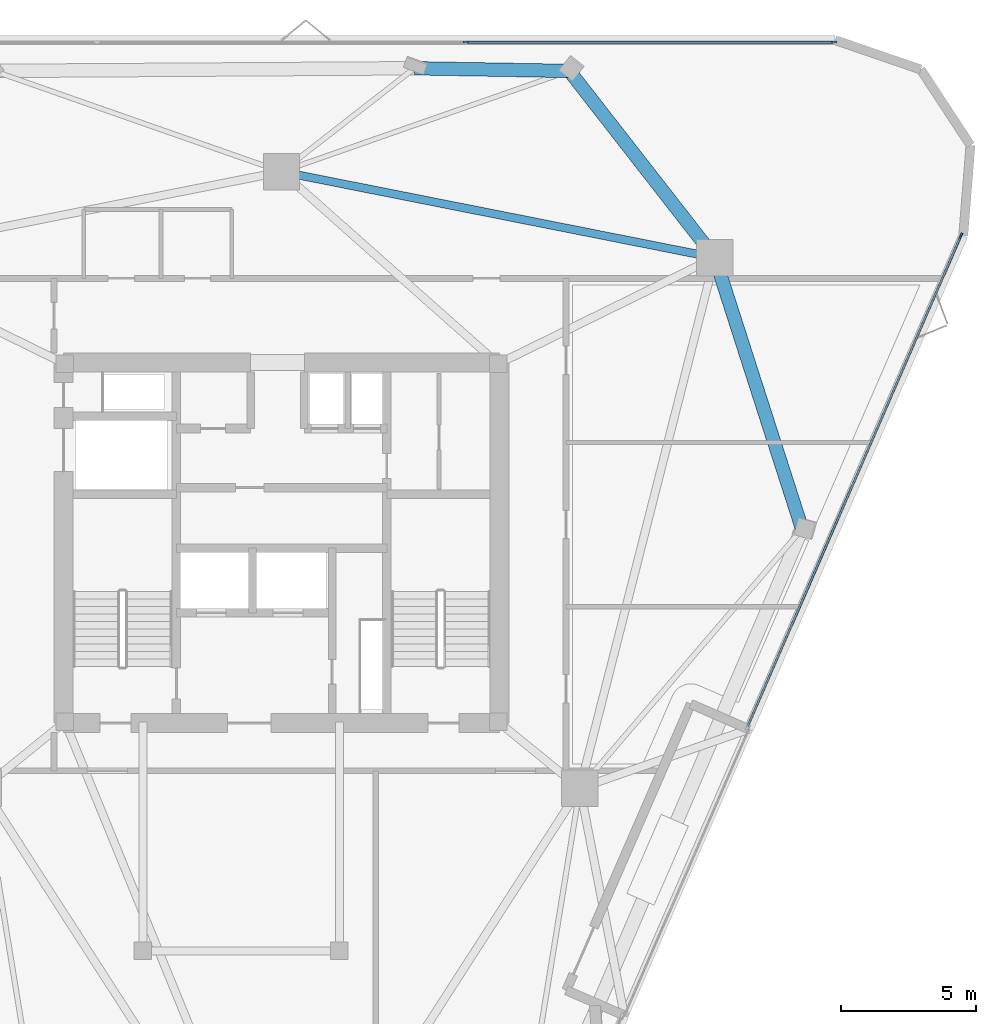
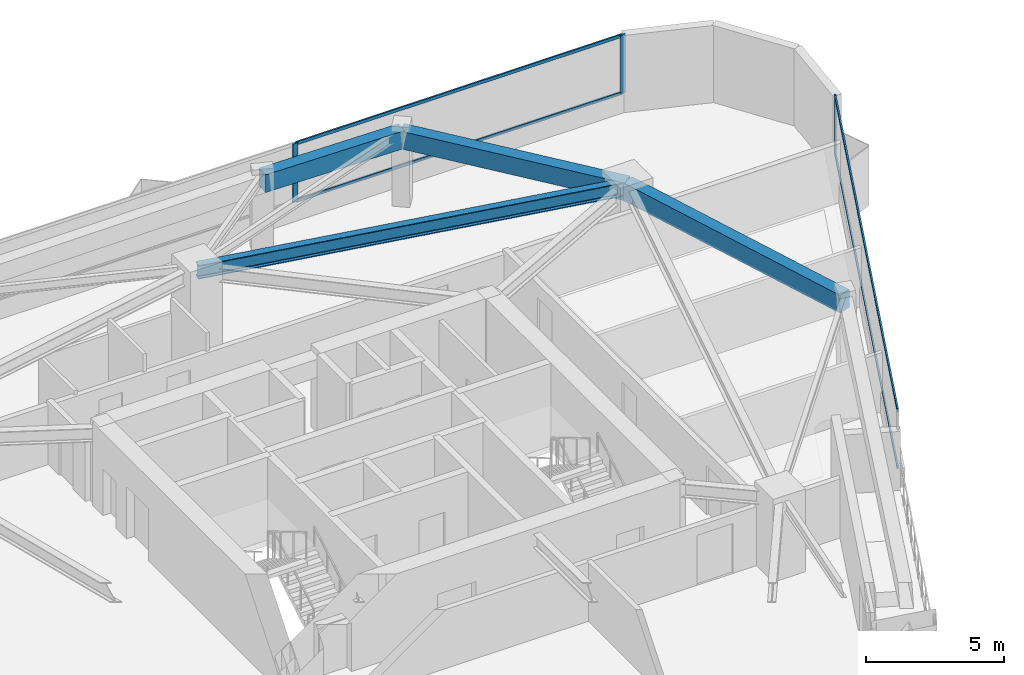
# One storey, part 6 of 11: 7 members, 4 beams, 2 elements without a shape of their own.
"""IFC4 building model written with IfcOpenShell, lengths in metres."""

from ifc_helpers import new_model, si_unit, direction, frame, origin, origin_2d, place, context, subcontext, project, spatial, rectangle, i_section, extrude, material, layer, layer_set, material_profile, profile_set, type_object, element, aggregate, save


model = new_model("IFC4")

# Units and contexts
model_context = context("Model", 3, precision=1e-05, world=origin(), true_north=direction((0.0, 1.0)))
body_context = subcontext(model_context, "Body", "Model", "MODEL_VIEW")
ifc_project = project(units=[si_unit("LENGTHUNIT", "METRE"), si_unit("AREAUNIT", "SQUARE_METRE"), si_unit("VOLUMEUNIT", "CUBIC_METRE"), si_unit("PLANEANGLEUNIT", "RADIAN"), si_unit("MASSUNIT", "GRAM", prefix="KILO")], contexts=[model_context])

# Site, building, storey
site_placement = place(None, origin())
site = spatial("IfcSite", under=ifc_project, at=site_placement, CompositionType="ELEMENT")
building_placement = place(site_placement, origin())
building = spatial("IfcBuilding", under=site, at=building_placement, Name="Talyreon Biosciences Tower", CompositionType="ELEMENT")
storey_placement = place(building_placement, frame((0.0, 0.0, 201.300048828125)))
storey = spatial("IfcBuildingStorey", under=building, at=storey_placement, Name="L53", CompositionType="ELEMENT", Elevation=201.300048828125)

# Curtain wall, members
ifc_material_1 = material(Name="Thermally broken aluminium and low-E glazing", Category="aluminium")
ifc_layer = layer(ifc_material_1, 0.205078125)
ifc_layer_set = layer_set([ifc_layer], Name="Thermally broken aluminium and low-E glazing")
curtain_wall_type = type_object("IfcCurtainWallType", Name="CurtainWall_SkyGardenLoggia", PredefinedType="NOTDEFINED", material=ifc_layer_set)
curtain_wall_1_placement = place(storey_placement, origin())
curtain_wall_1 = element("IfcCurtainWall", 1, at=curtain_wall_1_placement, inside=storey, type_object=curtain_wall_type, Name="L53 Unitised Curtain Wall FCW-L53-03", PredefinedType="NOTDEFINED")
ifc_material_2 = material(Name="Anodised thermally broken aluminium", Category="aluminium")
ifc_material_profile_1 = material_profile(ifc_material_2, rectangle(XDim=0.074951171875, YDim=0.2099609375, at=origin_2d()), Name="ALUM MULLION 75x210")
ifc_profile_set_1 = profile_set([ifc_material_profile_1], Name="Anodised thermally broken aluminium")
member_type_1 = type_object("IfcMemberType", Name="CWMullion_75x210", PredefinedType="MULLION", material=ifc_profile_set_1)
member_1_placement = place(storey_placement, frame((72.855224609375, 86.605224609375, 0.81005859375), z_axis=(0.0, 0.0, 1.0), x_axis=(0.0, 1.0, 0.0)))
member_1 = element("IfcMember", 2, at=member_1_placement, type_object=member_type_1, Name="CW7 mullion 3", PredefinedType="MULLION", context=body_context, shape_type="SweptSolid", body=[
    extrude(rectangle(XDim=0.074951171875, YDim=0.2099609375, at=origin_2d()), origin(), (0.0, 0.0, 1.0), 2.58984375),
])
member_2_placement = place(storey_placement, frame((86.52783203125, 86.605224609375, 0.81005859375), z_axis=(0.0, 0.0, 1.0), x_axis=(0.0, 1.0, 0.0)))
member_2 = element("IfcMember", 3, at=member_2_placement, type_object=member_type_1, Name="CW7 mullion 4", PredefinedType="MULLION", context=body_context, shape_type="SweptSolid", body=[
    extrude(rectangle(XDim=0.074951171875, YDim=0.2099609375, at=origin_2d()), origin(), (0.0, 0.0, 1.0), 2.58984375),
])

# Curtain wall, member
curtain_wall_2_placement = place(storey_placement, origin())
curtain_wall_2 = element("IfcCurtainWall", 4, at=curtain_wall_2_placement, inside=storey, type_object=curtain_wall_type, Name="L53 Unitised Curtain Wall FCW-L53-07", PredefinedType="NOTDEFINED")
member_3_placement = place(storey_placement, frame((91.24609375, 79.409912109375, 0.81005859375), z_axis=(0.0, 0.0, 1.0), x_axis=(0.91711290669, -0.398627540924, 0.0)))
member_3 = element("IfcMember", 5, at=member_3_placement, type_object=member_type_1, Name="CW7 mullion 1", PredefinedType="MULLION", context=body_context, shape_type="SweptSolid", body=[
    extrude(rectangle(XDim=0.074951171875, YDim=0.2099609375, at=origin_2d()), origin(), (0.0, 0.0, 1.0), 2.58984375),
])

# Member
ifc_material_profile_2 = material_profile(ifc_material_2, rectangle(XDim=0.06494140625, YDim=0.139892578125, at=origin_2d()), Name="ALUM TRANSOM 65x140")
ifc_profile_set_2 = profile_set([ifc_material_profile_2], Name="Anodised thermally broken aluminium")
member_type_2 = type_object("IfcMemberType", Name="CWTransom_65x140", PredefinedType="USERDEFINED", material=ifc_profile_set_2)
member_4_placement = place(storey_placement, frame((72.892578125, 86.605224609375, 0.842529296875), z_axis=(1.0, 0.0, 0.0), x_axis=(0.0, 1.0, 0.0)))
member_4 = element("IfcMember", 6, at=member_4_placement, type_object=member_type_2, Name="CW7 transom 3.1", ObjectType="TRANSOM", PredefinedType="USERDEFINED", context=body_context, shape_type="SweptSolid", body=[
    extrude(rectangle(XDim=0.06494140625, YDim=0.139892578125, at=origin_2d()), origin(), (0.0, 0.0, 1.0), 13.597900390625),
])

member_5_placement = place(storey_placement, frame((72.892578125, 86.605224609375, 3.367431640625), z_axis=(1.0, 0.0, 0.0), x_axis=(0.0, 1.0, 0.0)))
member_5 = element("IfcMember", 7, at=member_5_placement, type_object=member_type_2, Name="CW7 transom 3.2", ObjectType="TRANSOM", PredefinedType="USERDEFINED", context=body_context, shape_type="SweptSolid", body=[
    extrude(rectangle(XDim=0.06494140625, YDim=0.139892578125, at=origin_2d()), origin(), (0.0, 0.0, 1.0), 13.597900390625),
])

aggregate(curtain_wall_1, [member_1, member_2, member_4, member_5])

member_6_placement = place(storey_placement, frame((91.231201171875, 79.37548828125, 0.842529296875), z_axis=(-0.398626694368, -0.917113274649, 0.0), x_axis=(0.917113274649, -0.398626694368, 0.0)))
member_6 = element("IfcMember", 8, at=member_6_placement, type_object=member_type_2, Name="CW7 transom 1.1", ObjectType="TRANSOM", PredefinedType="USERDEFINED", context=body_context, shape_type="SweptSolid", body=[
    extrude(rectangle(XDim=0.06494140625, YDim=0.139892578125, at=origin_2d()), origin(), (0.0, 0.0, 1.0), 19.845458984375),
])

member_7_placement = place(storey_placement, frame((91.231201171875, 79.37548828125, 3.367431640625), z_axis=(-0.398626694368, -0.917113274649, 0.0), x_axis=(0.917113274649, -0.398626694368, 0.0)))
member_7 = element("IfcMember", 9, at=member_7_placement, type_object=member_type_2, Name="CW7 transom 1.2", ObjectType="TRANSOM", PredefinedType="USERDEFINED", context=body_context, shape_type="SweptSolid", body=[
    extrude(rectangle(XDim=0.06494140625, YDim=0.139892578125, at=origin_2d()), origin(), (0.0, 0.0, 1.0), 19.845458984375),
])

aggregate(curtain_wall_2, [member_3, member_6, member_7])

# Beams
ifc_material_3 = material(Name="Precast concrete C45/55", Category="concrete")
ifc_material_profile_3 = material_profile(ifc_material_3, rectangle(XDim=0.5, YDim=0.780029296875, at=origin_2d()), Name="RCB 500x780")
ifc_profile_set_3 = profile_set([ifc_material_profile_3], Name="Precast concrete C45/55")
beam_type_1 = type_object("IfcBeamType", Name="ExpressedSpandrel_500x780", PredefinedType="SPANDREL", material=ifc_profile_set_3)
beam_1_placement = place(storey_placement, frame((85.343994140625, 68.51513671875, 3.010009765625), z_axis=(-0.306058424481, 0.95201273143, 0.0), x_axis=(-0.95201273143, -0.306058424481, 0.0)))
element("IfcBeam", 10, at=beam_1_placement, inside=storey, type_object=beam_type_1, Name="L53 Expressed Horizontal Concrete Spandrel 04", PredefinedType="SPANDREL", context=body_context, shape_type="SweptSolid", body=[
    extrude(rectangle(XDim=0.5, YDim=0.780029296875, at=origin_2d()), origin(), (0.0, 0.0, 1.0), 10.591796875),
])
beam_2_placement = place(storey_placement, frame((82.102294921875, 78.5986328125, 3.010009765625), z_axis=(-0.614870256111, 0.788628282621, 0.0), x_axis=(-0.788628282621, -0.614870256111, 0.0)))
element("IfcBeam", 11, at=beam_2_placement, inside=storey, type_object=beam_type_1, Name="L53 Expressed Horizontal Concrete Spandrel 05", PredefinedType="SPANDREL", context=body_context, shape_type="SweptSolid", body=[
    extrude(rectangle(XDim=0.5, YDim=0.780029296875, at=origin_2d()), origin(), (0.0, 0.0, 1.0), 8.795654296875),
])
beam_3_placement = place(storey_placement, frame((76.694091796875, 85.53515625, 3.010009765625), z_axis=(-0.999848946526, 0.017380567628, 0.0), x_axis=(-0.017380567628, -0.999848946526, 0.0)))
element("IfcBeam", 12, at=beam_3_placement, inside=storey, type_object=beam_type_1, Name="L53 Expressed Horizontal Concrete Spandrel 06", PredefinedType="SPANDREL", context=body_context, shape_type="SweptSolid", body=[
    extrude(rectangle(XDim=0.5, YDim=0.780029296875, at=origin_2d()), origin(), (0.0, 0.0, 1.0), 5.75927734375),
])
ifc_material_4 = material(Name="Steel SM355", Category="steel")
ifc_material_profile_4 = material_profile(ifc_material_4, i_section(OverallWidth=0.300048828125, OverallDepth=0.60009765625, WebThickness=0.015380859375, FlangeThickness=0.030029296875, FilletRadius=0.027099609375, at=origin_2d()), Name="HE600B")
ifc_profile_set_4 = profile_set([ifc_material_profile_4], Name="Steel SM355")
beam_type_2 = type_object("IfcBeamType", Name="SteelBeam_HE600B", PredefinedType="BEAM", material=ifc_profile_set_4)
beam_4_placement = place(storey_placement, frame((82.102294921875, 78.5986328125, 3.099853515625), z_axis=(-0.980933730698, 0.194342522311, 0.0), x_axis=(-0.194342522311, -0.980933730698, 0.0)))
element("IfcBeam", 13, at=beam_4_placement, inside=storey, type_object=beam_type_2, Name="L53 Mega-Ring Girder 3", PredefinedType="BEAM", context=body_context, shape_type="SweptSolid", body=[
    extrude(i_section(OverallWidth=0.300048828125, OverallDepth=0.60009765625, WebThickness=0.015380859375, FlangeThickness=0.030029296875, FilletRadius=0.027099609375, at=origin_2d()), origin(), (0.0, 0.0, 1.0), 16.415283203125),
])

save(model, "model.ifc")
